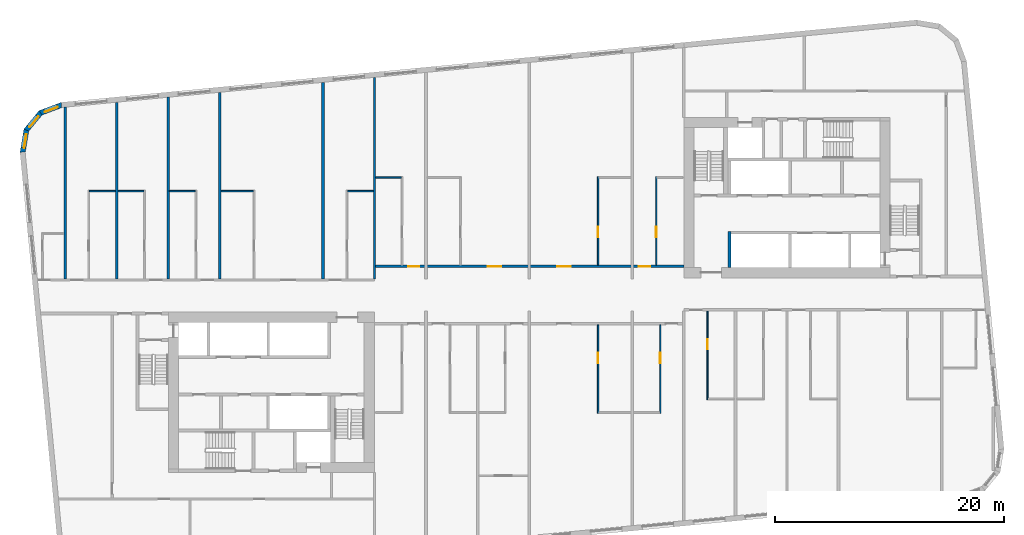
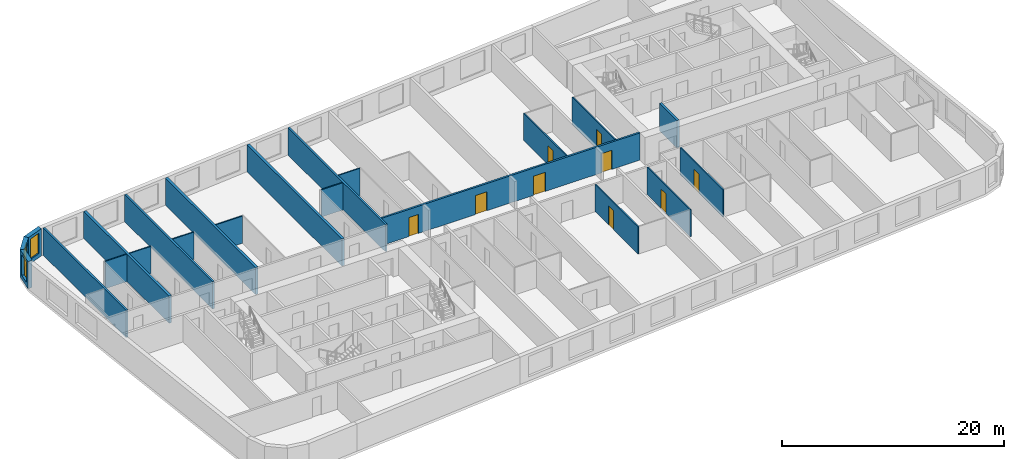
# One storey, part 5 of 12: 22 walls, 9 doors, 3 windows, 12 openings.
"""IFC4 building model written with IfcOpenShell, lengths in metres."""

from ifc_helpers import new_model, si_unit, direction, frame, frame_2d, origin, place, context, subcontext, project, spatial, polyline, rectangle, outline, extrude, material, layer, layer_set, type_object, element, fill, save


model = new_model("IFC4")

# Units and contexts
model_context = context("Model", 3, precision=1e-05, world=origin(), true_north=direction((0.0, 1.0)))
body_context = subcontext(model_context, "Body", "Model", "MODEL_VIEW")
ifc_project = project(units=[si_unit("LENGTHUNIT", "METRE"), si_unit("AREAUNIT", "SQUARE_METRE"), si_unit("VOLUMEUNIT", "CUBIC_METRE"), si_unit("PLANEANGLEUNIT", "RADIAN"), si_unit("MASSUNIT", "GRAM", prefix="KILO")], contexts=[model_context])

# Site, building, storey
site_placement = place(None, origin())
site = spatial("IfcSite", under=ifc_project, at=site_placement, CompositionType="ELEMENT")
building_placement = place(site_placement, origin())
building = spatial("IfcBuilding", under=site, at=building_placement, Name="Kajstack Hotel Tower", CompositionType="ELEMENT")
storey_placement = place(building_placement, frame((0.0, 0.0, 203.199951171875)))
storey = spatial("IfcBuildingStorey", under=building, at=storey_placement, Name="L49", CompositionType="ELEMENT", Elevation=203.199951171875)

# Wall, openings, doors
ifc_material_1 = material(Name="Gypsum board on steel studs, mineral wool", Category="steel")
ifc_layer_1 = layer(ifc_material_1, 0.199951171875)
ifc_layer_set_1 = layer_set([ifc_layer_1], Name="Corridor wall 200")
wall_type_1 = type_object("IfcWallType", Name="Corridor wall 200", PredefinedType="PARTITIONING", material=ifc_layer_set_1)
wall_1_placement = place(storey_placement, frame((-13.5, 2.5, 0.0), z_axis=(0.0, 0.0, 1.0), x_axis=(1.0, 0.0, 0.0)))
wall_1 = element("IfcWall", 1, at=wall_1_placement, inside=storey, type_object=wall_type_1, Name="G-wall-L49-004", PredefinedType="PARTITIONING", context=body_context, shape_type="SweptSolid", body=[
    extrude(rectangle(XDim=27.0, YDim=0.199951171875, at=frame_2d((13.5, 0.0))), origin(), (0.0, 0.0, 1.0), 3.0),
])
opening_1_placement = place(wall_1_placement, frame((2.925048828125, 0.0, 0.0)))
opening_1 = element("IfcOpeningElement", 2, at=opening_1_placement, cuts=wall_1, Name="Opening 49013", PredefinedType="OPENING", context=body_context, shape_type="SweptSolid", body=[
    extrude(rectangle(XDim=1.0, YDim=2.10009765625, at=frame_2d((0.5, 1.050048828125))), frame((0.0, 0.10986328125, 0.0), z_axis=(0.0, -1.0, 0.0), x_axis=(1.0, 0.0, 0.0)), (0.0, 0.0, 1.0), 0.219970703125),
])
opening_2_placement = place(wall_1_placement, frame((9.863037109375, 0.0, 0.0)))
opening_2 = element("IfcOpeningElement", 3, at=opening_2_placement, cuts=wall_1, Name="Opening 49015", PredefinedType="OPENING", context=body_context, shape_type="SweptSolid", body=[
    extrude(rectangle(XDim=1.199951171875, YDim=2.10009765625, at=frame_2d((0.60009765625, 1.050048828125))), frame((0.0, 0.10986328125, 0.0), z_axis=(0.0, -1.0, 0.0), x_axis=(1.0, 0.0, 0.0)), (0.0, 0.0, 1.0), 0.219970703125),
])
opening_3_placement = place(wall_1_placement, frame((15.93798828125, 0.0, 0.0)))
opening_3 = element("IfcOpeningElement", 4, at=opening_3_placement, cuts=wall_1, Name="Opening 49017", PredefinedType="OPENING", context=body_context, shape_type="SweptSolid", body=[
    extrude(rectangle(XDim=1.199951171875, YDim=2.10009765625, at=frame_2d((0.60009765625, 1.050048828125))), frame((0.0, 0.10986328125, 0.0), z_axis=(0.0, -1.0, 0.0), x_axis=(1.0, 0.0, 0.0)), (0.0, 0.0, 1.0), 0.219970703125),
])
opening_4_placement = place(wall_1_placement, frame((23.074951171875, 0.0, 0.0)))
opening_4 = element("IfcOpeningElement", 5, at=opening_4_placement, cuts=wall_1, Name="Opening 49019", PredefinedType="OPENING", context=body_context, shape_type="SweptSolid", body=[
    extrude(rectangle(XDim=1.0, YDim=2.10009765625, at=frame_2d((0.5, 1.050048828125))), frame((0.0, 0.10986328125, 0.0), z_axis=(0.0, -1.0, 0.0), x_axis=(1.0, 0.0, 0.0)), (0.0, 0.0, 1.0), 0.219970703125),
])
ifc_material_2 = material(Name="Oak veneer on timber core, fire-rated leaf", Category="wood")
door_type_1 = type_object("IfcDoorType", Name="Flat entrance door 1000", OperationType="SINGLE_SWING_LEFT", PredefinedType="DOOR", material=ifc_material_2)
door_1_placement = place(opening_1_placement, origin())
door_1 = element("IfcDoor", 6, at=door_1_placement, inside=storey, type_object=door_type_1, Name="G-door-L49-13", OperationType="SINGLE_SWING_RIGHT", OverallHeight=2.10009765625, OverallWidth=1.0, PredefinedType="DOOR", context=body_context, shape_type="SweptSolid", body=[
    extrude(rectangle(XDim=1.0, YDim=2.10009765625, at=frame_2d((0.5, 1.050048828125))), frame((0.0, 0.02490234375, 0.0), z_axis=(0.0, -1.0, 0.0), x_axis=(1.0, 0.0, 0.0)), (0.0, 0.0, 1.0), 0.050048828125),
])
fill(opening_1, door_1)
door_2_placement = place(opening_4_placement, origin())
door_2 = element("IfcDoor", 7, at=door_2_placement, inside=storey, type_object=door_type_1, Name="G-door-L49-19", OperationType="SINGLE_SWING_RIGHT", OverallHeight=2.10009765625, OverallWidth=1.0, PredefinedType="DOOR", context=body_context, shape_type="SweptSolid", body=[
    extrude(rectangle(XDim=1.0, YDim=2.10009765625, at=frame_2d((0.5, 1.050048828125))), frame((0.0, 0.02490234375, 0.0), z_axis=(0.0, -1.0, 0.0), x_axis=(1.0, 0.0, 0.0)), (0.0, 0.0, 1.0), 0.050048828125),
])
fill(opening_4, door_2)
door_type_2 = type_object("IfcDoorType", Name="Flat entrance door 1200", OperationType="SINGLE_SWING_LEFT", PredefinedType="DOOR", material=ifc_material_2)
door_3_placement = place(opening_2_placement, origin())
door_3 = element("IfcDoor", 8, at=door_3_placement, inside=storey, type_object=door_type_2, Name="G-door-L49-15", OperationType="SINGLE_SWING_RIGHT", OverallHeight=2.10009765625, OverallWidth=1.199951171875, PredefinedType="DOOR", context=body_context, shape_type="SweptSolid", body=[
    extrude(rectangle(XDim=1.199951171875, YDim=2.10009765625, at=frame_2d((0.60009765625, 1.050048828125))), frame((0.0, 0.02490234375, 0.0), z_axis=(0.0, -1.0, 0.0), x_axis=(1.0, 0.0, 0.0)), (0.0, 0.0, 1.0), 0.050048828125),
])
fill(opening_2, door_3)
door_4_placement = place(opening_3_placement, origin())
door_4 = element("IfcDoor", 9, at=door_4_placement, inside=storey, type_object=door_type_2, Name="G-door-L49-17", OperationType="SINGLE_SWING_RIGHT", OverallHeight=2.10009765625, OverallWidth=1.199951171875, PredefinedType="DOOR", context=body_context, shape_type="SweptSolid", body=[
    extrude(rectangle(XDim=1.199951171875, YDim=2.10009765625, at=frame_2d((0.60009765625, 1.050048828125))), frame((0.0, 0.02490234375, 0.0), z_axis=(0.0, -1.0, 0.0), x_axis=(1.0, 0.0, 0.0)), (0.0, 0.0, 1.0), 0.050048828125),
])
fill(opening_3, door_4)

# Walls
ifc_material_3 = material(Name="Twin-frame gypsum board on steel studs, mineral wool", Category="steel")
ifc_layer_2 = layer(ifc_material_3, 0.199951171875)
ifc_layer_set_2 = layer_set([ifc_layer_2], Name="Demising wall 200")
wall_type_2 = type_object("IfcWallType", Name="Demising wall 200", PredefinedType="PARTITIONING", material=ifc_layer_set_2)
wall_2_placement = place(storey_placement, frame((-40.5, 1.39990234375, 0.0), z_axis=(0.0, 0.0, 1.0), x_axis=(0.0, 1.0, 0.0)))
element("IfcWall", 10, at=wall_2_placement, inside=storey, type_object=wall_type_2, Name="G-wall-L49-005", PredefinedType="PARTITIONING", context=body_context, shape_type="SweptSolid", body=[
    extrude(rectangle(XDim=14.989990234375, YDim=0.199951171875, at=frame_2d((7.4951171875, 0.0))), origin(), (0.0, 0.0, 1.0), 3.0),
])
wall_3_placement = place(storey_placement, frame((-31.5, 1.39990234375, 0.0), z_axis=(0.0, 0.0, 1.0), x_axis=(0.0, 1.0, 0.0)))
element("IfcWall", 11, at=wall_3_placement, inside=storey, type_object=wall_type_2, Name="G-wall-L49-010", PredefinedType="PARTITIONING", context=body_context, shape_type="SweptSolid", body=[
    extrude(rectangle(XDim=15.856201171875, YDim=0.199951171875, at=frame_2d((7.92822265625, 0.0))), origin(), (0.0, 0.0, 1.0), 3.0),
])
wall_4_placement = place(storey_placement, frame((-13.5, 1.39990234375, 0.0), z_axis=(0.0, 0.0, 1.0), x_axis=(0.0, 1.0, 0.0)))
element("IfcWall", 12, at=wall_4_placement, inside=storey, type_object=wall_type_2, Name="G-wall-L49-017", PredefinedType="PARTITIONING", context=body_context, shape_type="SweptSolid", body=[
    extrude(rectangle(XDim=17.590087890625, YDim=0.199951171875, at=frame_2d((8.794921875, 0.0))), origin(), (0.0, 0.0, 1.0), 3.0),
])

# Wall, opening, window
ifc_material_4 = material(Name="Terracotta-faced brick masonry", Category="masonry")
ifc_layer_3 = layer(ifc_material_4, 0.449951171875)
ifc_layer_set_3 = layer_set([ifc_layer_3], Name="EW-TERRA")
wall_type_3 = type_object("IfcWallType", Name="EW-TERRA", PredefinedType="SOLIDWALL", material=ifc_layer_set_3)
wall_5_placement = place(storey_placement, frame((-40.76123046875, 16.598388671875, 0.0), z_axis=(0.0, 0.0, 1.0), x_axis=(-0.936677599948, -0.350192909346, 0.0)))
wall_5 = element("IfcWall", 13, at=wall_5_placement, inside=storey, type_object=wall_type_3, Name="E-wall-L49-13-00", PredefinedType="SOLIDWALL", context=body_context, shape_type="SweptSolid", body=[
    extrude(outline(polyline([(0.0, -0.22509765625), (2.070556640625, -0.224853515625), (1.949951171875, 0.22509765625), (0.12060546875, 0.22509765625), (0.0, -0.22509765625)])), origin(), (0.0, 0.0, 1.0), 3.0),
])
opening_5_placement = place(wall_5_placement, frame((0.435302734375, 0.0, 0.449951171875)))
opening_5 = element("IfcOpeningElement", 14, at=opening_5_placement, cuts=wall_5, Name="Opening W3", PredefinedType="OPENING", context=body_context, shape_type="SweptSolid", body=[
    extrude(rectangle(XDim=1.199951171875, YDim=2.25, at=frame_2d((0.60009765625, 1.125))), frame((0.0, 0.23486328125, 0.0), z_axis=(0.0, -1.0, 0.0), x_axis=(1.0, 0.0, 0.0)), (0.0, 0.0, 1.0), 0.469970703125),
])
ifc_material_5 = material(Name="Timber-aluminium window, triple glazed", Category="wood")
window_type = type_object("IfcWindowType", Name="WG3", PartitioningType="SINGLE_PANEL", PredefinedType="WINDOW", material=ifc_material_5)
window_1_placement = place(opening_5_placement, origin())
window_1 = element("IfcWindow", 15, at=window_1_placement, inside=storey, type_object=window_type, Name="Window W3 L49-13", OverallHeight=2.25, OverallWidth=1.199951171875, PartitioningType="SINGLE_PANEL", PredefinedType="WINDOW", context=body_context, shape_type="SweptSolid", body=[
    extrude(rectangle(XDim=1.199951171875, YDim=2.25, at=frame_2d((0.60009765625, 1.125))), frame((0.0, 0.090087890625, 0.0), z_axis=(0.0, -1.0, 0.0), x_axis=(1.0, 0.0, 0.0)), (0.0, 0.0, 1.0), 0.06005859375),
])
fill(opening_5, window_1)

wall_6_placement = place(storey_placement, frame((-42.60595703125, 15.94091796875, 0.0), z_axis=(0.0, 0.0, 1.0), x_axis=(-0.636116318187, -0.771593176315, 0.0)))
wall_6 = element("IfcWall", 16, at=wall_6_placement, inside=storey, type_object=wall_type_3, Name="E-wall-L49-14-00", PredefinedType="SOLIDWALL", context=body_context, shape_type="SweptSolid", body=[
    extrude(outline(polyline([(0.0, -0.224853515625), (2.070556640625, -0.224853515625), (1.949951171875, 0.22509765625), (0.12060546875, 0.22509765625), (0.0, -0.224853515625)])), origin(), (0.0, 0.0, 1.0), 3.0),
])
opening_6_placement = place(wall_6_placement, frame((0.435302734375, 0.0, 0.449951171875)))
opening_6 = element("IfcOpeningElement", 17, at=opening_6_placement, cuts=wall_6, Name="Opening W3", PredefinedType="OPENING", context=body_context, shape_type="SweptSolid", body=[
    extrude(rectangle(XDim=1.199951171875, YDim=2.25, at=frame_2d((0.60009765625, 1.125))), frame((0.0, 0.23486328125, 0.0), z_axis=(0.0, -1.0, 0.0), x_axis=(1.0, 0.0, 0.0)), (0.0, 0.0, 1.0), 0.469970703125),
])
window_2_placement = place(opening_6_placement, origin())
window_2 = element("IfcWindow", 18, at=window_2_placement, inside=storey, type_object=window_type, Name="Window W3 L49-14", OverallHeight=2.25, OverallWidth=1.199951171875, PartitioningType="SINGLE_PANEL", PredefinedType="WINDOW", context=body_context, shape_type="SweptSolid", body=[
    extrude(rectangle(XDim=1.199951171875, YDim=2.25, at=frame_2d((0.60009765625, 1.125))), frame((0.0, 0.090087890625, 0.0), z_axis=(0.0, -1.0, 0.0), x_axis=(1.0, 0.0, 0.0)), (0.0, 0.0, 1.0), 0.06005859375),
])
fill(opening_6, window_2)

wall_7_placement = place(storey_placement, frame((-43.874755859375, 14.44921875, 0.0), z_axis=(0.0, 0.0, 1.0), x_axis=(-0.164953448126, -0.986301353518, 0.0)))
wall_7 = element("IfcWall", 19, at=wall_7_placement, inside=storey, type_object=wall_type_3, Name="E-wall-L49-15-00", PredefinedType="SOLIDWALL", context=body_context, shape_type="SweptSolid", body=[
    extrude(outline(polyline([(0.0, -0.224853515625), (2.070556640625, -0.22509765625), (1.9501953125, 0.224853515625), (0.12060546875, 0.22509765625), (0.0, -0.224853515625)])), origin(), (0.0, 0.0, 1.0), 3.0),
])
opening_7_placement = place(wall_7_placement, frame((0.435302734375, 0.0, 0.449951171875)))
opening_7 = element("IfcOpeningElement", 20, at=opening_7_placement, cuts=wall_7, Name="Opening W3", PredefinedType="OPENING", context=body_context, shape_type="SweptSolid", body=[
    extrude(rectangle(XDim=1.199951171875, YDim=2.25, at=frame_2d((0.60009765625, 1.125))), frame((0.0, 0.23486328125, 0.0), z_axis=(0.0, -1.0, 0.0), x_axis=(1.0, 0.0, 0.0)), (0.0, 0.0, 1.0), 0.469970703125),
])
window_3_placement = place(opening_7_placement, origin())
window_3 = element("IfcWindow", 21, at=window_3_placement, inside=storey, type_object=window_type, Name="Window W3 L49-15", OverallHeight=2.25, OverallWidth=1.199951171875, PartitioningType="SINGLE_PANEL", PredefinedType="WINDOW", context=body_context, shape_type="SweptSolid", body=[
    extrude(rectangle(XDim=1.199951171875, YDim=2.25, at=frame_2d((0.60009765625, 1.125))), frame((0.0, 0.090087890625, 0.0), z_axis=(0.0, -1.0, 0.0), x_axis=(1.0, 0.0, 0.0)), (0.0, 0.0, 1.0), 0.06005859375),
])
fill(opening_7, window_3)

# Walls
ifc_material_6 = material(Name="Gypsum board and tiled backer on steel studs", Category="steel")
ifc_layer_4 = layer(ifc_material_6, 0.125)
ifc_layer_set_4 = layer_set([ifc_layer_4], Name="En-suite wall 125")
wall_type_4 = type_object("IfcWallType", Name="En-suite wall 125", PredefinedType="PARTITIONING", material=ifc_layer_set_4)
for number, where, z_axis, x_axis, name in (
    (22, (-38.375, 9.06201171875, 0.0), (0.0, 0.0, 1.0), (1.0, 0.0, 0.0), "G-wall-L49-009"),
    (23, (-35.875, 9.06201171875, 0.0), (0.0, 0.0, 1.0), (1.0, 0.0, 0.0), "G-wall-L49-012"),
    (24, (-31.39990234375, 9.06201171875, 0.0), (0.0, 0.0, 1.0), (1.0, 0.0, 0.0), "G-wall-L49-014"),
):
    element("IfcWall", number, at=place(storey_placement, frame(where, z_axis=z_axis, x_axis=x_axis)), inside=storey, type_object=wall_type_4, Name=name, PredefinedType="PARTITIONING", context=body_context, shape_type="SweptSolid", body=[
        extrude(rectangle(XDim=2.25, YDim=0.125, at=frame_2d((1.125, 0.0))), origin(), (0.0, 0.0, 1.0), 3.0),
    ])
wall_8_placement = place(storey_placement, frame((-26.875, 9.06201171875, 0.0), z_axis=(0.0, 0.0, 1.0), x_axis=(1.0, 0.0, 0.0)))
element("IfcWall", 25, at=wall_8_placement, inside=storey, type_object=wall_type_4, Name="G-wall-L49-016", PredefinedType="PARTITIONING", context=body_context, shape_type="SweptSolid", body=[
    extrude(rectangle(XDim=2.800048828125, YDim=0.125, at=frame_2d((1.39990234375, 0.0))), origin(), (0.0, 0.0, 1.0), 3.0),
])
for number, where, z_axis, x_axis, name in (
    (26, (-15.85009765625, 9.06201171875, 0.0), (0.0, 0.0, 1.0), (1.0, 0.0, 0.0), "G-wall-L49-019"),
    (27, (-13.39990234375, 10.261962890625, 0.0), (0.0, 0.0, 1.0), (1.0, 0.0, 0.0), "G-wall-L49-021"),
):
    element("IfcWall", number, at=place(storey_placement, frame(where, z_axis=z_axis, x_axis=x_axis)), inside=storey, type_object=wall_type_4, Name=name, PredefinedType="PARTITIONING", context=body_context, shape_type="SweptSolid", body=[
        extrude(rectangle(XDim=2.25, YDim=0.125, at=frame_2d((1.125, 0.0))), origin(), (0.0, 0.0, 1.0), 3.0),
    ])

# Wall, opening, door
wall_9_placement = place(storey_placement, frame((6.012939453125, 2.60009765625, 0.0), z_axis=(0.0, 0.0, 1.0), x_axis=(0.0, 1.0, 0.0)))
wall_9 = element("IfcWall", 28, at=wall_9_placement, inside=storey, type_object=wall_type_4, Name="G-wall-L49-024", PredefinedType="PARTITIONING", context=body_context, shape_type="SweptSolid", body=[
    extrude(rectangle(XDim=7.724853515625, YDim=0.125, at=frame_2d((3.8623046875, 0.0))), origin(), (0.0, 0.0, 1.0), 3.0),
])
opening_8_placement = place(wall_9_placement, frame((2.449951171875, 0.0, 0.0)))
opening_8 = element("IfcOpeningElement", 29, at=opening_8_placement, cuts=wall_9, Name="Opening 49018", PredefinedType="OPENING", context=body_context, shape_type="SweptSolid", body=[
    extrude(rectangle(XDim=0.89990234375, YDim=2.10009765625, at=frame_2d((0.449951171875, 1.050048828125))), frame((0.0, 0.072509765625, 0.0), z_axis=(0.0, -1.0, 0.0), x_axis=(1.0, 0.0, 0.0)), (0.0, 0.0, 1.0), 0.14501953125),
])
ifc_material_7 = material(Name="Painted timber door leaf", Category="wood")
door_type_3 = type_object("IfcDoorType", Name="Room door 900", OperationType="SINGLE_SWING_LEFT", PredefinedType="DOOR", material=ifc_material_7)
door_5_placement = place(opening_8_placement, origin())
door_5 = element("IfcDoor", 30, at=door_5_placement, inside=storey, type_object=door_type_3, Name="G-door-L49-18", OperationType="SINGLE_SWING_LEFT", OverallHeight=2.10009765625, OverallWidth=0.89990234375, PredefinedType="DOOR", context=body_context, shape_type="SweptSolid", body=[
    extrude(rectangle(XDim=0.89990234375, YDim=2.10009765625, at=frame_2d((0.449951171875, 1.050048828125))), frame((0.0, 0.02490234375, 0.0), z_axis=(0.0, -1.0, 0.0), x_axis=(1.0, 0.0, 0.0)), (0.0, 0.0, 1.0), 0.050048828125),
])
fill(opening_8, door_5)

wall_10_placement = place(storey_placement, frame((11.087890625, 2.60009765625, 0.0), z_axis=(0.0, 0.0, 1.0), x_axis=(0.0, 1.0, 0.0)))
wall_10 = element("IfcWall", 31, at=wall_10_placement, inside=storey, type_object=wall_type_4, Name="G-wall-L49-026", PredefinedType="PARTITIONING", context=body_context, shape_type="SweptSolid", body=[
    extrude(rectangle(XDim=7.724853515625, YDim=0.125, at=frame_2d((3.8623046875, 0.0))), origin(), (0.0, 0.0, 1.0), 3.0),
])
opening_9_placement = place(wall_10_placement, frame((2.449951171875, 0.0, 0.0)))
opening_9 = element("IfcOpeningElement", 32, at=opening_9_placement, cuts=wall_10, Name="Opening 49020", PredefinedType="OPENING", context=body_context, shape_type="SweptSolid", body=[
    extrude(rectangle(XDim=0.89990234375, YDim=2.10009765625, at=frame_2d((0.449951171875, 1.050048828125))), frame((0.0, 0.072509765625, 0.0), z_axis=(0.0, -1.0, 0.0), x_axis=(1.0, 0.0, 0.0)), (0.0, 0.0, 1.0), 0.14501953125),
])
door_6_placement = place(opening_9_placement, origin())
door_6 = element("IfcDoor", 33, at=door_6_placement, inside=storey, type_object=door_type_3, Name="G-door-L49-20", OperationType="SINGLE_SWING_RIGHT", OverallHeight=2.10009765625, OverallWidth=0.89990234375, PredefinedType="DOOR", context=body_context, shape_type="SweptSolid", body=[
    extrude(rectangle(XDim=0.89990234375, YDim=2.10009765625, at=frame_2d((0.449951171875, 1.050048828125))), frame((0.0, 0.02490234375, 0.0), z_axis=(0.0, -1.0, 0.0), x_axis=(1.0, 0.0, 0.0)), (0.0, 0.0, 1.0), 0.050048828125),
])
fill(opening_9, door_6)

wall_11_placement = place(storey_placement, frame((6.012939453125, -10.324951171875, 0.0), z_axis=(0.0, 0.0, 1.0), x_axis=(0.0, 1.0, 0.0)))
wall_11 = element("IfcWall", 34, at=wall_11_placement, inside=storey, type_object=wall_type_4, Name="G-wall-L49-038", PredefinedType="PARTITIONING", context=body_context, shape_type="SweptSolid", body=[
    extrude(rectangle(XDim=7.724853515625, YDim=0.125, at=frame_2d((3.8623046875, 0.0))), origin(), (0.0, 0.0, 1.0), 3.0),
])
opening_10_placement = place(wall_11_placement, frame((4.375, 0.0, 0.0)))
opening_10 = element("IfcOpeningElement", 35, at=opening_10_placement, cuts=wall_11, Name="Opening 49029", PredefinedType="OPENING", context=body_context, shape_type="SweptSolid", body=[
    extrude(rectangle(XDim=0.89990234375, YDim=2.10009765625, at=frame_2d((0.449951171875, 1.050048828125))), frame((0.0, 0.072509765625, 0.0), z_axis=(0.0, -1.0, 0.0), x_axis=(1.0, 0.0, 0.0)), (0.0, 0.0, 1.0), 0.14501953125),
])
door_7_placement = place(opening_10_placement, origin())
door_7 = element("IfcDoor", 36, at=door_7_placement, inside=storey, type_object=door_type_3, Name="G-door-L49-29", OperationType="SINGLE_SWING_RIGHT", OverallHeight=2.10009765625, OverallWidth=0.89990234375, PredefinedType="DOOR", context=body_context, shape_type="SweptSolid", body=[
    extrude(rectangle(XDim=0.89990234375, YDim=2.10009765625, at=frame_2d((0.449951171875, 1.050048828125))), frame((0.0, 0.02490234375, 0.0), z_axis=(0.0, -1.0, 0.0), x_axis=(1.0, 0.0, 0.0)), (0.0, 0.0, 1.0), 0.050048828125),
])
fill(opening_10, door_7)

wall_12_placement = place(storey_placement, frame((11.43798828125, -10.324951171875, 0.0), z_axis=(0.0, 0.0, 1.0), x_axis=(0.0, 1.0, 0.0)))
wall_12 = element("IfcWall", 37, at=wall_12_placement, inside=storey, type_object=wall_type_4, Name="G-wall-L49-041", PredefinedType="PARTITIONING", context=body_context, shape_type="SweptSolid", body=[
    extrude(rectangle(XDim=7.724853515625, YDim=0.125, at=frame_2d((3.8623046875, 0.0))), origin(), (0.0, 0.0, 1.0), 3.0),
])
opening_11_placement = place(wall_12_placement, frame((4.375, 0.0, 0.0)))
opening_11 = element("IfcOpeningElement", 38, at=opening_11_placement, cuts=wall_12, Name="Opening 49031", PredefinedType="OPENING", context=body_context, shape_type="SweptSolid", body=[
    extrude(rectangle(XDim=0.89990234375, YDim=2.10009765625, at=frame_2d((0.449951171875, 1.050048828125))), frame((0.0, 0.072509765625, 0.0), z_axis=(0.0, -1.0, 0.0), x_axis=(1.0, 0.0, 0.0)), (0.0, 0.0, 1.0), 0.14501953125),
])
door_8_placement = place(opening_11_placement, origin())
door_8 = element("IfcDoor", 39, at=door_8_placement, inside=storey, type_object=door_type_3, Name="G-door-L49-31", OperationType="SINGLE_SWING_RIGHT", OverallHeight=2.10009765625, OverallWidth=0.89990234375, PredefinedType="DOOR", context=body_context, shape_type="SweptSolid", body=[
    extrude(rectangle(XDim=0.89990234375, YDim=2.10009765625, at=frame_2d((0.449951171875, 1.050048828125))), frame((0.0, 0.02490234375, 0.0), z_axis=(0.0, -1.0, 0.0), x_axis=(1.0, 0.0, 0.0)), (0.0, 0.0, 1.0), 0.050048828125),
])
fill(opening_11, door_8)

wall_13_placement = place(storey_placement, frame((15.56201171875, -9.125, 0.0), z_axis=(0.0, 0.0, 1.0), x_axis=(0.0, 1.0, 0.0)))
wall_13 = element("IfcWall", 40, at=wall_13_placement, inside=storey, type_object=wall_type_4, Name="G-wall-L49-043", PredefinedType="PARTITIONING", context=body_context, shape_type="SweptSolid", body=[
    extrude(rectangle(XDim=7.72509765625, YDim=0.125, at=frame_2d((3.862548828125, 0.0))), origin(), (0.0, 0.0, 1.0), 3.0),
])
opening_12_placement = place(wall_13_placement, frame((4.375, 0.0, 0.0)))
opening_12 = element("IfcOpeningElement", 41, at=opening_12_placement, cuts=wall_13, Name="Opening 49033", PredefinedType="OPENING", context=body_context, shape_type="SweptSolid", body=[
    extrude(rectangle(XDim=0.89990234375, YDim=2.10009765625, at=frame_2d((0.449951171875, 1.050048828125))), frame((0.0, 0.072509765625, 0.0), z_axis=(0.0, -1.0, 0.0), x_axis=(1.0, 0.0, 0.0)), (0.0, 0.0, 1.0), 0.14501953125),
])
door_9_placement = place(opening_12_placement, origin())
door_9 = element("IfcDoor", 42, at=door_9_placement, inside=storey, type_object=door_type_3, Name="G-door-L49-33", OperationType="SINGLE_SWING_RIGHT", OverallHeight=2.10009765625, OverallWidth=0.89990234375, PredefinedType="DOOR", context=body_context, shape_type="SweptSolid", body=[
    extrude(rectangle(XDim=0.89990234375, YDim=2.10009765625, at=frame_2d((0.449951171875, 1.050048828125))), frame((0.0, 0.02490234375, 0.0), z_axis=(0.0, -1.0, 0.0), x_axis=(1.0, 0.0, 0.0)), (0.0, 0.0, 1.0), 0.050048828125),
])
fill(opening_12, door_9)

# Walls
ifc_material_8 = material(Name="Concrete C50/60", Category="concrete")
ifc_layer_5 = layer(ifc_material_8, 0.25)
ifc_layer_set_5 = layer_set([ifc_layer_5], Name="RC cross wall 250 C50/60")
wall_type_5 = type_object("IfcWallType", Name="RC cross wall 250 C50/60", PredefinedType="SHEAR", material=ifc_layer_set_5)
wall_14_placement = place(storey_placement, frame((-36.0, 1.39990234375, 0.0), z_axis=(0.0, 0.0, 1.0), x_axis=(0.0, 1.0, 0.0)))
element("IfcWall", 43, at=wall_14_placement, inside=storey, type_object=wall_type_5, Name="S-wall-L49-01", PredefinedType="SHEAR", context=body_context, shape_type="SweptSolid", body=[
    extrude(rectangle(XDim=15.401123046875, YDim=0.25, at=frame_2d((7.70068359375, 0.0))), origin(), (0.0, 0.0, 1.0), 3.0),
])
wall_15_placement = place(storey_placement, frame((-27.0, 1.39990234375, 0.0), z_axis=(0.0, 0.0, 1.0), x_axis=(0.0, 1.0, 0.0)))
element("IfcWall", 44, at=wall_15_placement, inside=storey, type_object=wall_type_5, Name="S-wall-L49-02", PredefinedType="SHEAR", context=body_context, shape_type="SweptSolid", body=[
    extrude(rectangle(XDim=16.267578125, YDim=0.25, at=frame_2d((8.1337890625, 0.0))), origin(), (0.0, 0.0, 1.0), 3.0),
])
wall_16_placement = place(storey_placement, frame((-18.0, 1.39990234375, 0.0), z_axis=(0.0, 0.0, 1.0), x_axis=(0.0, 1.0, 0.0)))
element("IfcWall", 45, at=wall_16_placement, inside=storey, type_object=wall_type_5, Name="S-wall-L49-03", PredefinedType="SHEAR", context=body_context, shape_type="SweptSolid", body=[
    extrude(rectangle(XDim=17.13427734375, YDim=0.25, at=frame_2d((8.567138671875, 0.0))), origin(), (0.0, 0.0, 1.0), 3.0),
])
ifc_layer_6 = layer(ifc_material_8, 0.25)
ifc_layer_set_6 = layer_set([ifc_layer_6], Name="Shaft wall 250")
wall_type_6 = type_object("IfcWallType", Name="Shaft wall 250", PredefinedType="SHEAR", material=ifc_layer_set_6)
wall_17_placement = place(storey_placement, frame((17.47509765625, 2.39990234375, 0.0), z_axis=(0.0, 0.0, 1.0), x_axis=(0.0, 1.0, 0.0)))
element("IfcWall", 46, at=wall_17_placement, inside=storey, type_object=wall_type_6, Name="Core wall E AE", PredefinedType="SHEAR", context=body_context, shape_type="SweptSolid", body=[
    extrude(rectangle(XDim=3.150146484375, YDim=0.25, at=frame_2d((1.5751953125, 0.0))), origin(), (0.0, 0.0, 1.0), 3.0),
])

save(model, "model.ifc")
